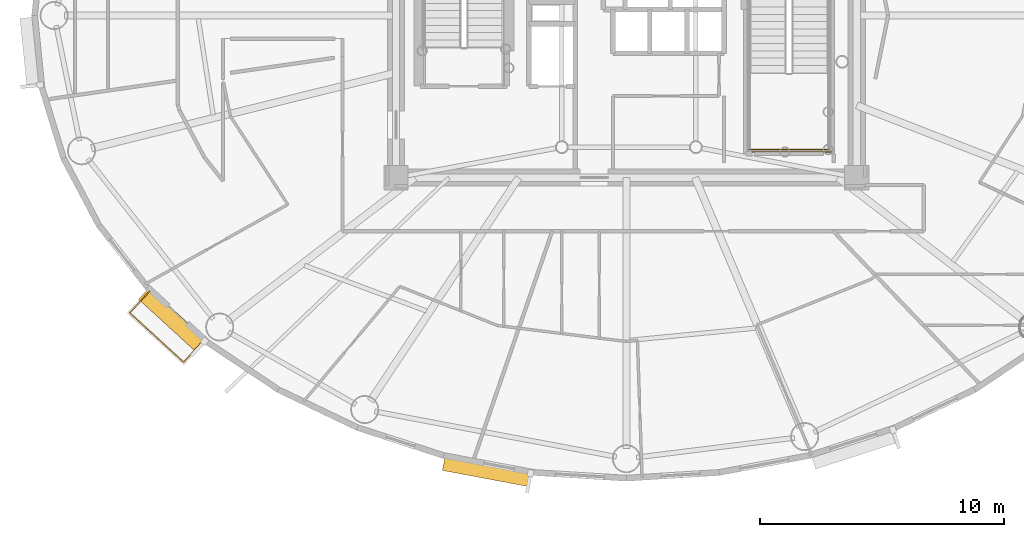
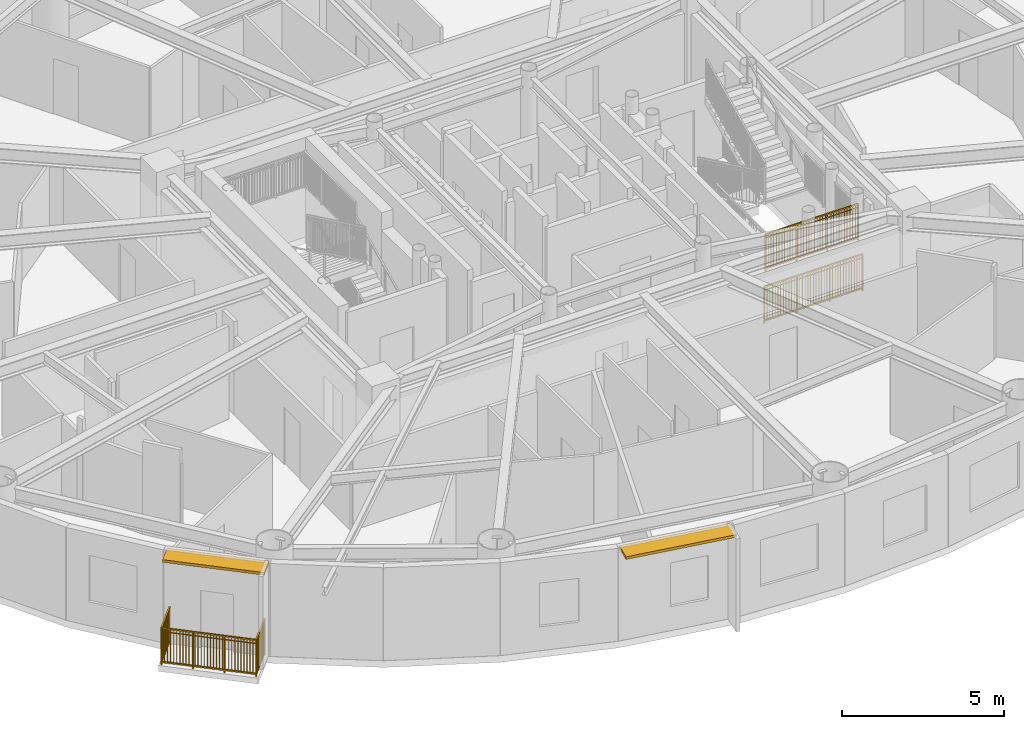
# One storey, part 12 of 18: 3 railings, 2 shading devices.
"""IFC4 building model written with IfcOpenShell, lengths in metres."""

from ifc_helpers import new_model, si_unit, direction, frame, origin, origin_2d, place, context, subcontext, project, spatial, rectangle, extrude, source, transform, mapped, material, layer, layer_set, type_object, element, save


model = new_model("IFC4")

# Units and contexts
model_context = context("Model", 3, precision=1e-05, world=origin(), true_north=direction((0.0, 1.0)))
body_context = subcontext(model_context, "Body", "Model", "MODEL_VIEW")
ifc_project = project(units=[si_unit("LENGTHUNIT", "METRE"), si_unit("AREAUNIT", "SQUARE_METRE"), si_unit("VOLUMEUNIT", "CUBIC_METRE"), si_unit("PLANEANGLEUNIT", "RADIAN"), si_unit("MASSUNIT", "GRAM", prefix="KILO")], contexts=[model_context])

# Site, building, storey
site_placement = place(None, origin())
site = spatial("IfcSite", under=ifc_project, at=site_placement, CompositionType="ELEMENT")
building_placement = place(site_placement, origin())
building = spatial("IfcBuilding", under=site, at=building_placement, Name="Linh Dai School and Residence Tower", CompositionType="ELEMENT")
storey_placement = place(building_placement, frame((0.0, 0.0, 240.300048828125)))
storey = spatial("IfcBuildingStorey", under=building, at=storey_placement, Name="L59", CompositionType="ELEMENT", Elevation=240.300048828125)

# Shading devices
ifc_material_1 = material(Name="Terracotta Ceramic Sunshade", Category="masonry")
ifc_layer = layer(ifc_material_1, 0.10009765625)
ifc_layer_set = layer_set([ifc_layer], Name="Terracotta Ceramic Sunshade")
shading_device_type = type_object("IfcShadingDeviceType", Name="SHD-TC-650", PredefinedType="USERDEFINED", material=ifc_layer_set)
shared_shape_1 = source(origin(), body_context, "Body", "SweptSolid", [
    extrude(rectangle(XDim=3.219482421875, YDim=0.64990234375, at=origin_2d()), origin(), (0.0, 0.0, 1.0), 0.10009765625),
])
shading_device_1_placement = place(storey_placement, frame((17.39501953125, 14.51220703125, 3.3798828125), z_axis=(0.0, 0.0, 1.0), x_axis=(-0.737125300096, 0.675756089102, 0.0)))
element("IfcShadingDevice", 1, at=shading_device_1_placement, inside=storey, type_object=shading_device_type, Name="L59 Terracotta Horizontal Sunshade Band 25", ObjectType="SUNSHADE", PredefinedType="USERDEFINED", context=body_context, shape_type="MappedRepresentation", body=[
    mapped(shared_shape_1, transform((0.0, 0.0, 0.0), x_axis=(1.0, 0.0, 0.0), y_axis=(0.0, 1.0, 0.0), z_axis=(0.0, 0.0, 1.0), scale=1.0)),
])
shared_shape_2 = source(origin(), body_context, "Body", "SweptSolid", [
    extrude(rectangle(XDim=3.62158203125, YDim=0.64990234375, at=origin_2d()), origin(), (0.0, 0.0, 1.0), 0.10009765625),
])
shading_device_2_placement = place(storey_placement, frame((30.2919921875, 8.32275390625, 3.3798828125), z_axis=(0.0, 0.0, 1.0), x_axis=(-0.982786586765, 0.18474448537, 0.0)))
element("IfcShadingDevice", 2, at=shading_device_2_placement, inside=storey, type_object=shading_device_type, Name="L59 Terracotta Horizontal Sunshade Band 29", ObjectType="SUNSHADE", PredefinedType="USERDEFINED", context=body_context, shape_type="MappedRepresentation", body=[
    mapped(shared_shape_2, transform((0.0, 0.0, 0.0), x_axis=(1.0, 0.0, 0.0), y_axis=(0.0, 1.0, 0.0), z_axis=(0.0, 0.0, 1.0), scale=1.0)),
])

# Railings
ifc_material_2 = material(Name="Structural Steel S355JR", Category="steel")
railing_type_1 = type_object("IfcRailingType", Name="RL-BAL-1400", PredefinedType="BALUSTRADE", material=ifc_material_2)
shared_shape_3 = source(origin(), body_context, "Body", "SweptSolid", [
    extrude(rectangle(XDim=0.048095703125, YDim=0.048095703125, at=origin_2d()), frame((0.0, 0.0, 1.3759765625), z_axis=(-0.675715259685, -0.737162728187, 0.0), x_axis=(0.737162728187, -0.675715259685, 0.0)), (0.0, 0.0, 1.0), 1.179931640625),
    extrude(rectangle(XDim=0.048095703125, YDim=0.048095703125, at=origin_2d()), frame((0.0, 0.0, 0.10009765625), z_axis=(-0.675715259685, -0.737162728187, 0.0), x_axis=(0.737162728187, -0.675715259685, 0.0)), (0.0, 0.0, 1.0), 1.179931640625),
    extrude(rectangle(XDim=0.030029296875, YDim=0.030029296875, at=origin_2d()), frame((0.0, 0.0, 1.239990234375), z_axis=(-0.675715259685, -0.737162728187, 0.0), x_axis=(0.737162728187, -0.675715259685, 0.0)), (0.0, 0.0, 1.0), 1.179931640625),
    extrude(rectangle(XDim=0.02001953125, YDim=0.02001953125, at=origin_2d()), frame((-0.061279296875, -0.06689453125, 0.10009765625)), (0.0, 0.0, 1.0), 1.251708984375),
    extrude(rectangle(XDim=0.02001953125, YDim=0.02001953125, at=origin_2d()), frame((-0.12255859375, -0.1337890625, 0.10009765625)), (0.0, 0.0, 1.0), 1.251708984375),
    extrude(rectangle(XDim=0.02001953125, YDim=0.02001953125, at=origin_2d()), frame((-0.18408203125, -0.20068359375, 0.10009765625)), (0.0, 0.0, 1.0), 1.251708984375),
    extrude(rectangle(XDim=0.02001953125, YDim=0.02001953125, at=origin_2d()), frame((-0.245361328125, -0.267578125, 0.10009765625)), (0.0, 0.0, 1.0), 1.251708984375),
    extrude(rectangle(XDim=0.02001953125, YDim=0.02001953125, at=origin_2d()), frame((-0.306640625, -0.33447265625, 0.10009765625)), (0.0, 0.0, 1.0), 1.251708984375),
    extrude(rectangle(XDim=0.02001953125, YDim=0.02001953125, at=origin_2d()), frame((-0.367919921875, -0.4013671875, 0.10009765625)), (0.0, 0.0, 1.0), 1.251708984375),
    extrude(rectangle(XDim=0.02001953125, YDim=0.02001953125, at=origin_2d()), frame((-0.429443359375, -0.468505859375, 0.10009765625)), (0.0, 0.0, 1.0), 1.251708984375),
    extrude(rectangle(XDim=0.02001953125, YDim=0.02001953125, at=origin_2d()), frame((-0.49072265625, -0.535400390625, 0.10009765625)), (0.0, 0.0, 1.0), 1.251708984375),
    extrude(rectangle(XDim=0.02001953125, YDim=0.02001953125, at=origin_2d()), frame((-0.552001953125, -0.602294921875, 0.10009765625)), (0.0, 0.0, 1.0), 1.251708984375),
    extrude(rectangle(XDim=0.02001953125, YDim=0.02001953125, at=origin_2d()), frame((-0.61328125, -0.669189453125, 0.10009765625)), (0.0, 0.0, 1.0), 1.251708984375),
    extrude(rectangle(XDim=0.02001953125, YDim=0.02001953125, at=origin_2d()), frame((-0.6748046875, -0.736083984375, 0.10009765625)), (0.0, 0.0, 1.0), 1.251708984375),
    extrude(rectangle(XDim=0.02001953125, YDim=0.02001953125, at=origin_2d()), frame((-0.736083984375, -0.802978515625, 0.10009765625)), (0.0, 0.0, 1.0), 1.251708984375),
    extrude(rectangle(XDim=0.048095703125, YDim=0.048095703125, at=origin_2d()), frame((-0.79736328125, -0.869873046875, 1.3759765625), z_axis=(-0.737143984648, 0.675735707135, 0.0), x_axis=(-0.675735707135, -0.737143984648, 0.0)), (0.0, 0.0, 1.0), 2.99365234375),
    extrude(rectangle(XDim=0.048095703125, YDim=0.048095703125, at=origin_2d()), frame((-0.79736328125, -0.869873046875, 0.10009765625), z_axis=(-0.737143984648, 0.675735707135, 0.0), x_axis=(-0.675735707135, -0.737143984648, 0.0)), (0.0, 0.0, 1.0), 2.99365234375),
    extrude(rectangle(XDim=0.030029296875, YDim=0.030029296875, at=origin_2d()), frame((-0.79736328125, -0.869873046875, 1.239990234375), z_axis=(-0.737143984648, 0.675735707135, 0.0), x_axis=(-0.675735707135, -0.737143984648, 0.0)), (0.0, 0.0, 1.0), 2.99365234375),
    extrude(rectangle(XDim=0.02001953125, YDim=0.02001953125, at=origin_2d()), frame((-0.86865234375, -0.8046875, 0.10009765625)), (0.0, 0.0, 1.0), 1.251708984375),
    extrude(rectangle(XDim=0.02001953125, YDim=0.02001953125, at=origin_2d()), frame((-0.939697265625, -0.7392578125, 0.10009765625)), (0.0, 0.0, 1.0), 1.251708984375),
    extrude(rectangle(XDim=0.02001953125, YDim=0.02001953125, at=origin_2d()), frame((-1.010986328125, -0.674072265625, 0.10009765625)), (0.0, 0.0, 1.0), 1.251708984375),
    extrude(rectangle(XDim=0.02001953125, YDim=0.02001953125, at=origin_2d()), frame((-1.08203125, -0.60888671875, 0.10009765625)), (0.0, 0.0, 1.0), 1.251708984375),
    extrude(rectangle(XDim=0.02001953125, YDim=0.02001953125, at=origin_2d()), frame((-1.1533203125, -0.543701171875, 0.10009765625)), (0.0, 0.0, 1.0), 1.251708984375),
    extrude(rectangle(XDim=0.02001953125, YDim=0.02001953125, at=origin_2d()), frame((-1.224365234375, -0.478271484375, 0.10009765625)), (0.0, 0.0, 1.0), 1.251708984375),
    extrude(rectangle(XDim=0.02001953125, YDim=0.02001953125, at=origin_2d()), frame((-1.295654296875, -0.4130859375, 0.10009765625)), (0.0, 0.0, 1.0), 1.251708984375),
    extrude(rectangle(XDim=0.02001953125, YDim=0.02001953125, at=origin_2d()), frame((-1.366943359375, -0.347900390625, 0.10009765625)), (0.0, 0.0, 1.0), 1.251708984375),
    extrude(rectangle(XDim=0.02001953125, YDim=0.02001953125, at=origin_2d()), frame((-1.43798828125, -0.282470703125, 0.10009765625)), (0.0, 0.0, 1.0), 1.251708984375),
    extrude(rectangle(XDim=0.02001953125, YDim=0.02001953125, at=origin_2d()), frame((-1.580322265625, -0.152099609375, 0.10009765625)), (0.0, 0.0, 1.0), 1.251708984375),
    extrude(rectangle(XDim=0.02001953125, YDim=0.02001953125, at=origin_2d()), frame((-1.651611328125, -0.0869140625, 0.10009765625)), (0.0, 0.0, 1.0), 1.251708984375),
    extrude(rectangle(XDim=0.02001953125, YDim=0.02001953125, at=origin_2d()), frame((-1.722900390625, -0.021484375, 0.10009765625)), (0.0, 0.0, 1.0), 1.251708984375),
    extrude(rectangle(XDim=0.02001953125, YDim=0.02001953125, at=origin_2d()), frame((-1.7939453125, 0.043701171875, 0.10009765625)), (0.0, 0.0, 1.0), 1.251708984375),
    extrude(rectangle(XDim=0.02001953125, YDim=0.02001953125, at=origin_2d()), frame((-1.865234375, 0.10888671875, 0.10009765625)), (0.0, 0.0, 1.0), 1.251708984375),
    extrude(rectangle(XDim=0.02001953125, YDim=0.02001953125, at=origin_2d()), frame((-1.936279296875, 0.17431640625, 0.10009765625)), (0.0, 0.0, 1.0), 1.251708984375),
    extrude(rectangle(XDim=0.02001953125, YDim=0.02001953125, at=origin_2d()), frame((-2.007568359375, 0.239501953125, 0.10009765625)), (0.0, 0.0, 1.0), 1.251708984375),
    extrude(rectangle(XDim=0.02001953125, YDim=0.02001953125, at=origin_2d()), frame((-2.07861328125, 0.3046875, 0.10009765625)), (0.0, 0.0, 1.0), 1.251708984375),
    extrude(rectangle(XDim=0.02001953125, YDim=0.02001953125, at=origin_2d()), frame((-2.14990234375, 0.3701171875, 0.10009765625)), (0.0, 0.0, 1.0), 1.251708984375),
    extrude(rectangle(XDim=0.02001953125, YDim=0.02001953125, at=origin_2d()), frame((-2.22119140625, 0.435302734375, 0.10009765625)), (0.0, 0.0, 1.0), 1.251708984375),
    extrude(rectangle(XDim=0.02001953125, YDim=0.02001953125, at=origin_2d()), frame((-2.363525390625, 0.565673828125, 0.10009765625)), (0.0, 0.0, 1.0), 1.251708984375),
    extrude(rectangle(XDim=0.02001953125, YDim=0.02001953125, at=origin_2d()), frame((-2.4345703125, 0.631103515625, 0.10009765625)), (0.0, 0.0, 1.0), 1.251708984375),
    extrude(rectangle(XDim=0.02001953125, YDim=0.02001953125, at=origin_2d()), frame((-2.505859375, 0.6962890625, 0.10009765625)), (0.0, 0.0, 1.0), 1.251708984375),
    extrude(rectangle(XDim=0.02001953125, YDim=0.02001953125, at=origin_2d()), frame((-2.5771484375, 0.761474609375, 0.10009765625)), (0.0, 0.0, 1.0), 1.251708984375),
    extrude(rectangle(XDim=0.02001953125, YDim=0.02001953125, at=origin_2d()), frame((-2.648193359375, 0.826904296875, 0.10009765625)), (0.0, 0.0, 1.0), 1.251708984375),
    extrude(rectangle(XDim=0.02001953125, YDim=0.02001953125, at=origin_2d()), frame((-2.719482421875, 0.89208984375, 0.10009765625)), (0.0, 0.0, 1.0), 1.251708984375),
    extrude(rectangle(XDim=0.02001953125, YDim=0.02001953125, at=origin_2d()), frame((-2.79052734375, 0.957275390625, 0.10009765625)), (0.0, 0.0, 1.0), 1.251708984375),
    extrude(rectangle(XDim=0.02001953125, YDim=0.02001953125, at=origin_2d()), frame((-2.86181640625, 1.0224609375, 0.10009765625)), (0.0, 0.0, 1.0), 1.251708984375),
    extrude(rectangle(XDim=0.02001953125, YDim=0.02001953125, at=origin_2d()), frame((-2.932861328125, 1.087890625, 0.10009765625)), (0.0, 0.0, 1.0), 1.251708984375),
    extrude(rectangle(XDim=0.048095703125, YDim=0.048095703125, at=origin_2d()), frame((-3.004150390625, 1.153076171875, 1.3759765625), z_axis=(0.675715259685, 0.737162728187, 0.0), x_axis=(-0.737162728187, 0.675715259685, 0.0)), (0.0, 0.0, 1.0), 1.179931640625),
    extrude(rectangle(XDim=0.048095703125, YDim=0.048095703125, at=origin_2d()), frame((-3.004150390625, 1.153076171875, 0.10009765625), z_axis=(0.675715259685, 0.737162728187, 0.0), x_axis=(-0.737162728187, 0.675715259685, 0.0)), (0.0, 0.0, 1.0), 1.179931640625),
    extrude(rectangle(XDim=0.030029296875, YDim=0.030029296875, at=origin_2d()), frame((-3.004150390625, 1.153076171875, 1.239990234375), z_axis=(0.675715259685, 0.737162728187, 0.0), x_axis=(-0.737162728187, 0.675715259685, 0.0)), (0.0, 0.0, 1.0), 1.179931640625),
    extrude(rectangle(XDim=0.02001953125, YDim=0.02001953125, at=origin_2d()), frame((-2.94287109375, 1.219970703125, 0.10009765625)), (0.0, 0.0, 1.0), 1.251708984375),
    extrude(rectangle(XDim=0.02001953125, YDim=0.02001953125, at=origin_2d()), frame((-2.881591796875, 1.286865234375, 0.10009765625)), (0.0, 0.0, 1.0), 1.251708984375),
    extrude(rectangle(XDim=0.02001953125, YDim=0.02001953125, at=origin_2d()), frame((-2.820068359375, 1.353759765625, 0.10009765625)), (0.0, 0.0, 1.0), 1.251708984375),
    extrude(rectangle(XDim=0.02001953125, YDim=0.02001953125, at=origin_2d()), frame((-2.7587890625, 1.420654296875, 0.10009765625)), (0.0, 0.0, 1.0), 1.251708984375),
    extrude(rectangle(XDim=0.02001953125, YDim=0.02001953125, at=origin_2d()), frame((-2.697509765625, 1.487548828125, 0.10009765625)), (0.0, 0.0, 1.0), 1.251708984375),
    extrude(rectangle(XDim=0.02001953125, YDim=0.02001953125, at=origin_2d()), frame((-2.63623046875, 1.554443359375, 0.10009765625)), (0.0, 0.0, 1.0), 1.251708984375),
    extrude(rectangle(XDim=0.02001953125, YDim=0.02001953125, at=origin_2d()), frame((-2.57470703125, 1.62158203125, 0.10009765625)), (0.0, 0.0, 1.0), 1.251708984375),
    extrude(rectangle(XDim=0.02001953125, YDim=0.02001953125, at=origin_2d()), frame((-2.513427734375, 1.6884765625, 0.10009765625)), (0.0, 0.0, 1.0), 1.251708984375),
    extrude(rectangle(XDim=0.02001953125, YDim=0.02001953125, at=origin_2d()), frame((-2.4521484375, 1.75537109375, 0.10009765625)), (0.0, 0.0, 1.0), 1.251708984375),
    extrude(rectangle(XDim=0.02001953125, YDim=0.02001953125, at=origin_2d()), frame((-2.390869140625, 1.822265625, 0.10009765625)), (0.0, 0.0, 1.0), 1.251708984375),
    extrude(rectangle(XDim=0.02001953125, YDim=0.02001953125, at=origin_2d()), frame((-2.329345703125, 1.88916015625, 0.10009765625)), (0.0, 0.0, 1.0), 1.251708984375),
    extrude(rectangle(XDim=0.02001953125, YDim=0.02001953125, at=origin_2d()), frame((-2.26806640625, 1.9560546875, 0.10009765625)), (0.0, 0.0, 1.0), 1.251708984375),
    extrude(rectangle(XDim=0.0419921875, YDim=0.0419921875, at=origin_2d()), origin(), (0.0, 0.0, 1.0), 1.3759765625),
    extrude(rectangle(XDim=0.0419921875, YDim=0.0419921875, at=origin_2d()), frame((-0.79736328125, -0.869873046875, 0.0)), (0.0, 0.0, 1.0), 1.3759765625),
    extrude(rectangle(XDim=0.0419921875, YDim=0.0419921875, at=origin_2d()), frame((-1.532958984375, -0.195556640625, 0.0)), (0.0, 0.0, 1.0), 1.3759765625),
    extrude(rectangle(XDim=0.0419921875, YDim=0.0419921875, at=origin_2d()), frame((-2.2685546875, 0.478759765625, 0.0)), (0.0, 0.0, 1.0), 1.3759765625),
    extrude(rectangle(XDim=0.0419921875, YDim=0.0419921875, at=origin_2d()), frame((-3.004150390625, 1.153076171875, 0.0)), (0.0, 0.0, 1.0), 1.3759765625),
    extrude(rectangle(XDim=0.0419921875, YDim=0.0419921875, at=origin_2d()), frame((-2.206787109375, 2.02294921875, 0.0)), (0.0, 0.0, 1.0), 1.3759765625),
])
railing_1_placement = place(storey_placement, frame((18.633544921875, 13.648193359375, 0.0)))
element("IfcRailing", 3, at=railing_1_placement, inside=storey, type_object=railing_type_1, Name="L59 Balcony Safety Balustrade 25", PredefinedType="BALUSTRADE", context=body_context, shape_type="MappedRepresentation", body=[
    mapped(shared_shape_3, transform((0.0, 0.0, 0.0), x_axis=(1.0, 0.0, 0.0), y_axis=(0.0, 1.0, 0.0), z_axis=(0.0, 0.0, 1.0), scale=1.0)),
])
railing_type_2 = type_object("IfcRailingType", Name="RL-ST-GUARD-1400", PredefinedType="GUARDRAIL", material=ifc_material_2)
shared_shape_4 = source(origin(), body_context, "Body", "SweptSolid", [
    extrude(rectangle(XDim=0.048095703125, YDim=0.048095703125, at=origin_2d()), frame((0.0, 0.0, 1.3759765625), z_axis=(1.0, 0.0, 0.0), x_axis=(0.0, 1.0, 0.0)), (0.0, 0.0, 1.0), 3.300048828125),
    extrude(rectangle(XDim=0.048095703125, YDim=0.048095703125, at=origin_2d()), frame((0.0, 0.0, 0.10009765625), z_axis=(1.0, 0.0, 0.0), x_axis=(0.0, 1.0, 0.0)), (0.0, 0.0, 1.0), 3.300048828125),
    extrude(rectangle(XDim=0.030029296875, YDim=0.030029296875, at=origin_2d()), frame((0.0, 0.0, 1.239990234375), z_axis=(1.0, 0.0, 0.0), x_axis=(0.0, 1.0, 0.0)), (0.0, 0.0, 1.0), 3.300048828125),
    extrude(rectangle(XDim=0.02001953125, YDim=0.02001953125, at=origin_2d()), frame((0.09716796875, 0.0, 0.10009765625)), (0.0, 0.0, 1.0), 1.251708984375),
    extrude(rectangle(XDim=0.02001953125, YDim=0.02001953125, at=origin_2d()), frame((0.194091796875, 0.0, 0.10009765625)), (0.0, 0.0, 1.0), 1.251708984375),
    extrude(rectangle(XDim=0.02001953125, YDim=0.02001953125, at=origin_2d()), frame((0.291259765625, 0.0, 0.10009765625)), (0.0, 0.0, 1.0), 1.251708984375),
    extrude(rectangle(XDim=0.02001953125, YDim=0.02001953125, at=origin_2d()), frame((0.38818359375, 0.0, 0.10009765625)), (0.0, 0.0, 1.0), 1.251708984375),
    extrude(rectangle(XDim=0.02001953125, YDim=0.02001953125, at=origin_2d()), frame((0.4853515625, 0.0, 0.10009765625)), (0.0, 0.0, 1.0), 1.251708984375),
    extrude(rectangle(XDim=0.02001953125, YDim=0.02001953125, at=origin_2d()), frame((0.582275390625, 0.0, 0.10009765625)), (0.0, 0.0, 1.0), 1.251708984375),
    extrude(rectangle(XDim=0.02001953125, YDim=0.02001953125, at=origin_2d()), frame((0.679443359375, 0.0, 0.10009765625)), (0.0, 0.0, 1.0), 1.251708984375),
    extrude(rectangle(XDim=0.02001953125, YDim=0.02001953125, at=origin_2d()), frame((0.7763671875, 0.0, 0.10009765625)), (0.0, 0.0, 1.0), 1.251708984375),
    extrude(rectangle(XDim=0.02001953125, YDim=0.02001953125, at=origin_2d()), frame((0.87353515625, 0.0, 0.10009765625)), (0.0, 0.0, 1.0), 1.251708984375),
    extrude(rectangle(XDim=0.02001953125, YDim=0.02001953125, at=origin_2d()), frame((0.970703125, 0.0, 0.10009765625)), (0.0, 0.0, 1.0), 1.251708984375),
    extrude(rectangle(XDim=0.02001953125, YDim=0.02001953125, at=origin_2d()), frame((1.164794921875, 0.0, 0.10009765625)), (0.0, 0.0, 1.0), 1.251708984375),
    extrude(rectangle(XDim=0.02001953125, YDim=0.02001953125, at=origin_2d()), frame((1.26171875, 0.0, 0.10009765625)), (0.0, 0.0, 1.0), 1.251708984375),
    extrude(rectangle(XDim=0.02001953125, YDim=0.02001953125, at=origin_2d()), frame((1.35888671875, 0.0, 0.10009765625)), (0.0, 0.0, 1.0), 1.251708984375),
    extrude(rectangle(XDim=0.02001953125, YDim=0.02001953125, at=origin_2d()), frame((1.455810546875, 0.0, 0.10009765625)), (0.0, 0.0, 1.0), 1.251708984375),
    extrude(rectangle(XDim=0.02001953125, YDim=0.02001953125, at=origin_2d()), frame((1.552978515625, 0.0, 0.10009765625)), (0.0, 0.0, 1.0), 1.251708984375),
    extrude(rectangle(XDim=0.02001953125, YDim=0.02001953125, at=origin_2d()), frame((1.64990234375, 0.0, 0.10009765625)), (0.0, 0.0, 1.0), 1.251708984375),
    extrude(rectangle(XDim=0.02001953125, YDim=0.02001953125, at=origin_2d()), frame((1.7470703125, 0.0, 0.10009765625)), (0.0, 0.0, 1.0), 1.251708984375),
    extrude(rectangle(XDim=0.02001953125, YDim=0.02001953125, at=origin_2d()), frame((1.84423828125, 0.0, 0.10009765625)), (0.0, 0.0, 1.0), 1.251708984375),
    extrude(rectangle(XDim=0.02001953125, YDim=0.02001953125, at=origin_2d()), frame((1.941162109375, 0.0, 0.10009765625)), (0.0, 0.0, 1.0), 1.251708984375),
    extrude(rectangle(XDim=0.02001953125, YDim=0.02001953125, at=origin_2d()), frame((2.038330078125, 0.0, 0.10009765625)), (0.0, 0.0, 1.0), 1.251708984375),
    extrude(rectangle(XDim=0.02001953125, YDim=0.02001953125, at=origin_2d()), frame((2.13525390625, 0.0, 0.10009765625)), (0.0, 0.0, 1.0), 1.251708984375),
    extrude(rectangle(XDim=0.02001953125, YDim=0.02001953125, at=origin_2d()), frame((2.329345703125, 0.0, 0.10009765625)), (0.0, 0.0, 1.0), 1.251708984375),
    extrude(rectangle(XDim=0.02001953125, YDim=0.02001953125, at=origin_2d()), frame((2.426513671875, 0.0, 0.10009765625)), (0.0, 0.0, 1.0), 1.251708984375),
    extrude(rectangle(XDim=0.02001953125, YDim=0.02001953125, at=origin_2d()), frame((2.523681640625, 0.0, 0.10009765625)), (0.0, 0.0, 1.0), 1.251708984375),
    extrude(rectangle(XDim=0.02001953125, YDim=0.02001953125, at=origin_2d()), frame((2.62060546875, 0.0, 0.10009765625)), (0.0, 0.0, 1.0), 1.251708984375),
    extrude(rectangle(XDim=0.02001953125, YDim=0.02001953125, at=origin_2d()), frame((2.7177734375, 0.0, 0.10009765625)), (0.0, 0.0, 1.0), 1.251708984375),
    extrude(rectangle(XDim=0.02001953125, YDim=0.02001953125, at=origin_2d()), frame((2.814697265625, 0.0, 0.10009765625)), (0.0, 0.0, 1.0), 1.251708984375),
    extrude(rectangle(XDim=0.02001953125, YDim=0.02001953125, at=origin_2d()), frame((2.911865234375, 0.0, 0.10009765625)), (0.0, 0.0, 1.0), 1.251708984375),
    extrude(rectangle(XDim=0.02001953125, YDim=0.02001953125, at=origin_2d()), frame((3.0087890625, 0.0, 0.10009765625)), (0.0, 0.0, 1.0), 1.251708984375),
    extrude(rectangle(XDim=0.02001953125, YDim=0.02001953125, at=origin_2d()), frame((3.10595703125, 0.0, 0.10009765625)), (0.0, 0.0, 1.0), 1.251708984375),
    extrude(rectangle(XDim=0.02001953125, YDim=0.02001953125, at=origin_2d()), frame((3.202880859375, 0.0, 0.10009765625)), (0.0, 0.0, 1.0), 1.251708984375),
    extrude(rectangle(XDim=0.0419921875, YDim=0.0419921875, at=origin_2d()), origin(), (0.0, 0.0, 1.0), 1.3759765625),
    extrude(rectangle(XDim=0.0419921875, YDim=0.0419921875, at=origin_2d()), frame((1.10009765625, 0.0, 0.0)), (0.0, 0.0, 1.0), 1.3759765625),
    extrude(rectangle(XDim=0.0419921875, YDim=0.0419921875, at=origin_2d()), frame((2.199951171875, 0.0, 0.0)), (0.0, 0.0, 1.0), 1.3759765625),
    extrude(rectangle(XDim=0.0419921875, YDim=0.0419921875, at=origin_2d()), frame((3.300048828125, 0.0, 0.0)), (0.0, 0.0, 1.0), 1.3759765625),
])
railing_2_placement = place(storey_placement, frame((41.02001953125, 21.5, 1.875)))
element("IfcRailing", 4, at=railing_2_placement, inside=storey, type_object=railing_type_2, Name="L59 ST2 stair guard 5", PredefinedType="GUARDRAIL", context=body_context, shape_type="MappedRepresentation", body=[
    mapped(shared_shape_4, transform((0.0, 0.0, 0.0), x_axis=(1.0, 0.0, 0.0), y_axis=(0.0, 1.0, 0.0), z_axis=(0.0, 0.0, 1.0), scale=1.0)),
])
shared_shape_5 = source(origin(), body_context, "Body", "SweptSolid", [
    extrude(rectangle(XDim=0.048095703125, YDim=0.048095703125, at=origin_2d()), frame((0.0, 0.0, 1.3759765625), z_axis=(1.0, 0.0, 0.0), x_axis=(0.0, 1.0, 0.0)), (0.0, 0.0, 1.0), 3.5),
    extrude(rectangle(XDim=0.048095703125, YDim=0.048095703125, at=origin_2d()), frame((0.0, 0.0, 0.10009765625), z_axis=(1.0, 0.0, 0.0), x_axis=(0.0, 1.0, 0.0)), (0.0, 0.0, 1.0), 3.5),
    extrude(rectangle(XDim=0.030029296875, YDim=0.030029296875, at=origin_2d()), frame((0.0, 0.0, 1.239990234375), z_axis=(1.0, 0.0, 0.0), x_axis=(0.0, 1.0, 0.0)), (0.0, 0.0, 1.0), 3.5),
    extrude(rectangle(XDim=0.02001953125, YDim=0.02001953125, at=origin_2d()), frame((0.09716796875, 0.0, 0.10009765625)), (0.0, 0.0, 1.0), 1.251708984375),
    extrude(rectangle(XDim=0.02001953125, YDim=0.02001953125, at=origin_2d()), frame((0.1943359375, 0.0, 0.10009765625)), (0.0, 0.0, 1.0), 1.251708984375),
    extrude(rectangle(XDim=0.02001953125, YDim=0.02001953125, at=origin_2d()), frame((0.291748046875, 0.0, 0.10009765625)), (0.0, 0.0, 1.0), 1.251708984375),
    extrude(rectangle(XDim=0.02001953125, YDim=0.02001953125, at=origin_2d()), frame((0.388916015625, 0.0, 0.10009765625)), (0.0, 0.0, 1.0), 1.251708984375),
    extrude(rectangle(XDim=0.02001953125, YDim=0.02001953125, at=origin_2d()), frame((0.486083984375, 0.0, 0.10009765625)), (0.0, 0.0, 1.0), 1.251708984375),
    extrude(rectangle(XDim=0.02001953125, YDim=0.02001953125, at=origin_2d()), frame((0.583251953125, 0.0, 0.10009765625)), (0.0, 0.0, 1.0), 1.251708984375),
    extrude(rectangle(XDim=0.02001953125, YDim=0.02001953125, at=origin_2d()), frame((0.6806640625, 0.0, 0.10009765625)), (0.0, 0.0, 1.0), 1.251708984375),
    extrude(rectangle(XDim=0.02001953125, YDim=0.02001953125, at=origin_2d()), frame((0.77783203125, 0.0, 0.10009765625)), (0.0, 0.0, 1.0), 1.251708984375),
    extrude(rectangle(XDim=0.02001953125, YDim=0.02001953125, at=origin_2d()), frame((0.875, 0.0, 0.10009765625)), (0.0, 0.0, 1.0), 1.251708984375),
    extrude(rectangle(XDim=0.02001953125, YDim=0.02001953125, at=origin_2d()), frame((0.97216796875, 0.0, 0.10009765625)), (0.0, 0.0, 1.0), 1.251708984375),
    extrude(rectangle(XDim=0.02001953125, YDim=0.02001953125, at=origin_2d()), frame((1.0693359375, 0.0, 0.10009765625)), (0.0, 0.0, 1.0), 1.251708984375),
    extrude(rectangle(XDim=0.02001953125, YDim=0.02001953125, at=origin_2d()), frame((1.263916015625, 0.0, 0.10009765625)), (0.0, 0.0, 1.0), 1.251708984375),
    extrude(rectangle(XDim=0.02001953125, YDim=0.02001953125, at=origin_2d()), frame((1.361083984375, 0.0, 0.10009765625)), (0.0, 0.0, 1.0), 1.251708984375),
    extrude(rectangle(XDim=0.02001953125, YDim=0.02001953125, at=origin_2d()), frame((1.458251953125, 0.0, 0.10009765625)), (0.0, 0.0, 1.0), 1.251708984375),
    extrude(rectangle(XDim=0.02001953125, YDim=0.02001953125, at=origin_2d()), frame((1.5556640625, 0.0, 0.10009765625)), (0.0, 0.0, 1.0), 1.251708984375),
    extrude(rectangle(XDim=0.02001953125, YDim=0.02001953125, at=origin_2d()), frame((1.65283203125, 0.0, 0.10009765625)), (0.0, 0.0, 1.0), 1.251708984375),
    extrude(rectangle(XDim=0.02001953125, YDim=0.02001953125, at=origin_2d()), frame((1.75, 0.0, 0.10009765625)), (0.0, 0.0, 1.0), 1.251708984375),
    extrude(rectangle(XDim=0.02001953125, YDim=0.02001953125, at=origin_2d()), frame((1.84716796875, 0.0, 0.10009765625)), (0.0, 0.0, 1.0), 1.251708984375),
    extrude(rectangle(XDim=0.02001953125, YDim=0.02001953125, at=origin_2d()), frame((1.9443359375, 0.0, 0.10009765625)), (0.0, 0.0, 1.0), 1.251708984375),
    extrude(rectangle(XDim=0.02001953125, YDim=0.02001953125, at=origin_2d()), frame((2.041748046875, 0.0, 0.10009765625)), (0.0, 0.0, 1.0), 1.251708984375),
    extrude(rectangle(XDim=0.02001953125, YDim=0.02001953125, at=origin_2d()), frame((2.138916015625, 0.0, 0.10009765625)), (0.0, 0.0, 1.0), 1.251708984375),
    extrude(rectangle(XDim=0.02001953125, YDim=0.02001953125, at=origin_2d()), frame((2.236083984375, 0.0, 0.10009765625)), (0.0, 0.0, 1.0), 1.251708984375),
    extrude(rectangle(XDim=0.02001953125, YDim=0.02001953125, at=origin_2d()), frame((2.4306640625, 0.0, 0.10009765625)), (0.0, 0.0, 1.0), 1.251708984375),
    extrude(rectangle(XDim=0.02001953125, YDim=0.02001953125, at=origin_2d()), frame((2.52783203125, 0.0, 0.10009765625)), (0.0, 0.0, 1.0), 1.251708984375),
    extrude(rectangle(XDim=0.02001953125, YDim=0.02001953125, at=origin_2d()), frame((2.625, 0.0, 0.10009765625)), (0.0, 0.0, 1.0), 1.251708984375),
    extrude(rectangle(XDim=0.02001953125, YDim=0.02001953125, at=origin_2d()), frame((2.72216796875, 0.0, 0.10009765625)), (0.0, 0.0, 1.0), 1.251708984375),
    extrude(rectangle(XDim=0.02001953125, YDim=0.02001953125, at=origin_2d()), frame((2.8193359375, 0.0, 0.10009765625)), (0.0, 0.0, 1.0), 1.251708984375),
    extrude(rectangle(XDim=0.02001953125, YDim=0.02001953125, at=origin_2d()), frame((2.916748046875, 0.0, 0.10009765625)), (0.0, 0.0, 1.0), 1.251708984375),
    extrude(rectangle(XDim=0.02001953125, YDim=0.02001953125, at=origin_2d()), frame((3.013916015625, 0.0, 0.10009765625)), (0.0, 0.0, 1.0), 1.251708984375),
    extrude(rectangle(XDim=0.02001953125, YDim=0.02001953125, at=origin_2d()), frame((3.111083984375, 0.0, 0.10009765625)), (0.0, 0.0, 1.0), 1.251708984375),
    extrude(rectangle(XDim=0.02001953125, YDim=0.02001953125, at=origin_2d()), frame((3.208251953125, 0.0, 0.10009765625)), (0.0, 0.0, 1.0), 1.251708984375),
    extrude(rectangle(XDim=0.02001953125, YDim=0.02001953125, at=origin_2d()), frame((3.3056640625, 0.0, 0.10009765625)), (0.0, 0.0, 1.0), 1.251708984375),
    extrude(rectangle(XDim=0.02001953125, YDim=0.02001953125, at=origin_2d()), frame((3.40283203125, 0.0, 0.10009765625)), (0.0, 0.0, 1.0), 1.251708984375),
    extrude(rectangle(XDim=0.0419921875, YDim=0.0419921875, at=origin_2d()), origin(), (0.0, 0.0, 1.0), 1.3759765625),
    extrude(rectangle(XDim=0.0419921875, YDim=0.0419921875, at=origin_2d()), frame((1.166748046875, 0.0, 0.0)), (0.0, 0.0, 1.0), 1.3759765625),
    extrude(rectangle(XDim=0.0419921875, YDim=0.0419921875, at=origin_2d()), frame((2.333251953125, 0.0, 0.0)), (0.0, 0.0, 1.0), 1.3759765625),
    extrude(rectangle(XDim=0.0419921875, YDim=0.0419921875, at=origin_2d()), frame((3.5, 0.0, 0.0)), (0.0, 0.0, 1.0), 1.3759765625),
])
railing_3_placement = place(storey_placement, frame((40.919921875, 21.39990234375, 0.0)))
element("IfcRailing", 5, at=railing_3_placement, inside=storey, type_object=railing_type_2, Name="L59 ST2 stair guard 12", PredefinedType="GUARDRAIL", context=body_context, shape_type="MappedRepresentation", body=[
    mapped(shared_shape_5, transform((0.0, 0.0, 0.0), x_axis=(1.0, 0.0, 0.0), y_axis=(0.0, 1.0, 0.0), z_axis=(0.0, 0.0, 1.0), scale=1.0)),
])

save(model, "model.ifc")
